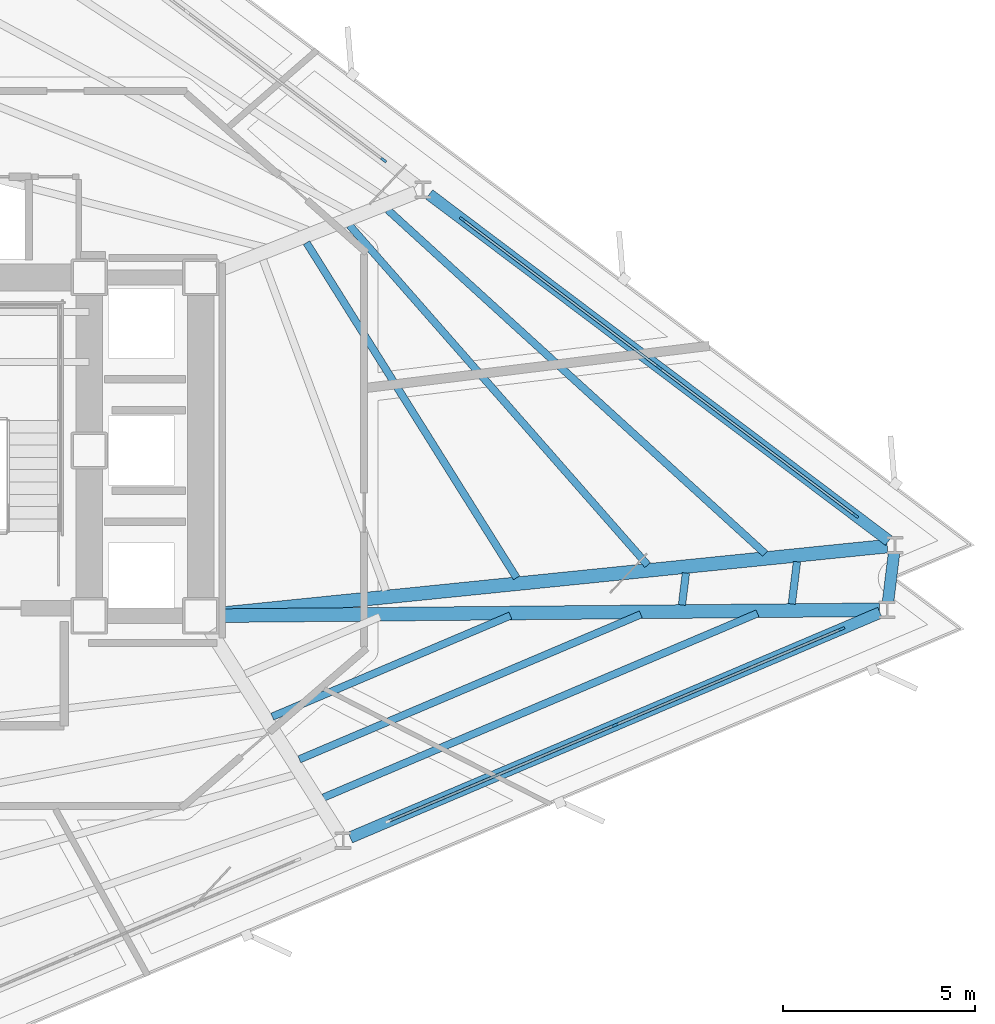
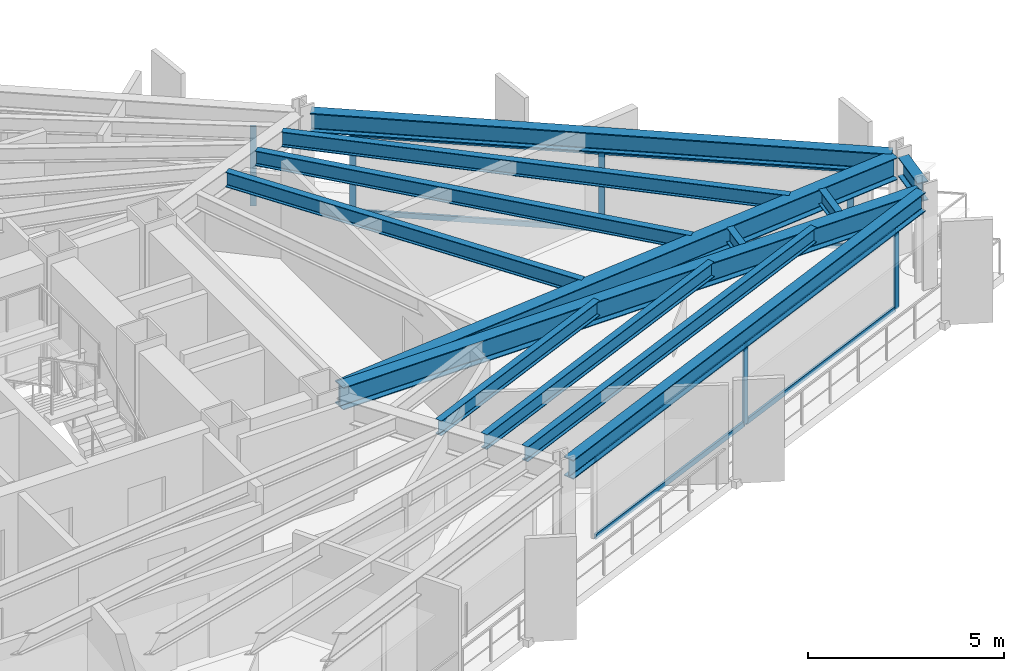
# One storey, part 4 of 13: 14 members, 13 beams, 3 elements without a shape of their own.
"""IFC4 building model written with IfcOpenShell, lengths in metres."""

from ifc_helpers import new_model, si_unit, direction, frame, origin, origin_2d, place, context, subcontext, project, spatial, rectangle, i_section, extrude, material, layer, layer_set, material_profile, profile_set, type_object, element, aggregate, save


model = new_model("IFC4")

# Units and contexts
model_context = context("Model", 3, precision=1e-05, world=origin(), true_north=direction((0.0, 1.0)))
body_context = subcontext(model_context, "Body", "Model", "MODEL_VIEW")
ifc_project = project(units=[si_unit("LENGTHUNIT", "METRE"), si_unit("AREAUNIT", "SQUARE_METRE"), si_unit("VOLUMEUNIT", "CUBIC_METRE"), si_unit("PLANEANGLEUNIT", "RADIAN"), si_unit("MASSUNIT", "GRAM", prefix="KILO")], contexts=[model_context])

# Site, building, storey
site_placement = place(None, origin())
site = spatial("IfcSite", under=ifc_project, at=site_placement, CompositionType="ELEMENT")
building_placement = place(site_placement, origin())
building = spatial("IfcBuilding", under=site, at=building_placement, Name="Rocaltana Carrier Exchange", CompositionType="ELEMENT")
storey_placement = place(building_placement, frame((0.0, 0.0, 66.39990234375)))
storey = spatial("IfcBuildingStorey", under=building, at=storey_placement, Name="L20", CompositionType="ELEMENT", Elevation=66.39990234375)

# Curtain wall, members
ifc_material_1 = material(Name="Aluminium 6063-T6", Category="aluminium")
ifc_layer = layer(ifc_material_1, 0.1650390625)
ifc_layer_set = layer_set([ifc_layer], Name="Aluminium 6063-T6")
curtain_wall_type = type_object("IfcCurtainWallType", Name="Lower-Mid Stepped Curtain Wall CW-02", PredefinedType="NOTDEFINED", material=ifc_layer_set)
curtain_wall_1_placement = place(storey_placement, origin())
curtain_wall_1 = element("IfcCurtainWall", 1, at=curtain_wall_1_placement, inside=storey, type_object=curtain_wall_type, Name="L20 CW-02 Run CW-L20-F1S1", PredefinedType="NOTDEFINED")
ifc_material_2 = material(Name="Aluminium 6063-T6", Category="aluminium")
ifc_material_profile_1 = material_profile(ifc_material_2, rectangle(XDim=0.06494140625, YDim=0.1650390625, at=origin_2d()), Name="AL-65X165")
ifc_profile_set_1 = profile_set([ifc_material_profile_1], Name="Aluminium 6063-T6")
member_type_1 = type_object("IfcMemberType", Name="CW-02 Mullion AL-65X165", PredefinedType="MULLION", material=ifc_profile_set_1)
member_1_placement = place(storey_placement, frame((25.978759765625, -1.69482421875, 0.0), z_axis=(0.0, 0.0, 1.0), x_axis=(-0.601806560833, -0.798641886792, 0.0)))
member_1 = element("IfcMember", 2, at=member_1_placement, type_object=member_type_1, Name="CW-02 mullion 1", PredefinedType="MULLION", context=body_context, shape_type="SweptSolid", body=[
    extrude(rectangle(XDim=0.06494140625, YDim=0.1650390625, at=origin_2d()), origin(), (0.0, 0.0, 1.0), 2.47802734375),
])
member_2_placement = place(storey_placement, frame((20.86669921875, 2.1572265625, 0.0), z_axis=(0.0, 0.0, 1.0), x_axis=(-0.601806560833, -0.798641886792, 0.0)))
member_2 = element("IfcMember", 3, at=member_2_placement, type_object=member_type_1, Name="CW-02 mullion 2", PredefinedType="MULLION", context=body_context, shape_type="SweptSolid", body=[
    extrude(rectangle(XDim=0.06494140625, YDim=0.1650390625, at=origin_2d()), origin(), (0.0, 0.0, 1.0), 2.47802734375),
])
member_3_placement = place(storey_placement, frame((15.754638671875, 6.00927734375, 0.0), z_axis=(0.0, 0.0, 1.0), x_axis=(-0.601806560833, -0.798641886792, 0.0)))
member_3 = element("IfcMember", 4, at=member_3_placement, type_object=member_type_1, Name="CW-02 mullion 3", PredefinedType="MULLION", context=body_context, shape_type="SweptSolid", body=[
    extrude(rectangle(XDim=0.06494140625, YDim=0.1650390625, at=origin_2d()), origin(), (0.0, 0.0, 1.0), 2.47802734375),
])

# Curtain wall, member
curtain_wall_2_placement = place(storey_placement, origin())
curtain_wall_2 = element("IfcCurtainWall", 5, at=curtain_wall_2_placement, inside=storey, type_object=curtain_wall_type, Name="L20 CW-02 Run CW-L20-F1S2", PredefinedType="NOTDEFINED")
member_4_placement = place(storey_placement, frame((13.706298828125, 7.552978515625, 0.0), z_axis=(0.0, 0.0, 1.0), x_axis=(-0.601815253533, -0.798635336443, 0.0)))
member_4 = element("IfcMember", 6, at=member_4_placement, type_object=member_type_1, Name="CW-02 mullion 1", PredefinedType="MULLION", context=body_context, shape_type="SweptSolid", body=[
    extrude(rectangle(XDim=0.06494140625, YDim=0.1650390625, at=origin_2d()), origin(), (0.0, 0.0, 1.0), 2.47802734375),
])
aggregate(curtain_wall_2, [member_4])

# Curtain wall, members
curtain_wall_3_placement = place(storey_placement, origin())
curtain_wall_3 = element("IfcCurtainWall", 7, at=curtain_wall_3_placement, inside=storey, type_object=curtain_wall_type, Name="L20 CW-02 Run CW-L20-F3S3", PredefinedType="NOTDEFINED")
member_5_placement = place(storey_placement, frame((19.72509765625, -7.141357421875, 0.0), z_axis=(0.0, 0.0, 1.0), x_axis=(-0.390735259141, 0.920503100084, 0.0)))
member_5 = element("IfcMember", 8, at=member_5_placement, type_object=member_type_1, Name="CW-02 mullion 2", PredefinedType="MULLION", context=body_context, shape_type="SweptSolid", body=[
    extrude(rectangle(XDim=0.06494140625, YDim=0.1650390625, at=origin_2d()), origin(), (0.0, 0.0, 1.0), 2.47802734375),
])
member_6_placement = place(storey_placement, frame((25.6171875, -4.64013671875, 0.0), z_axis=(0.0, 0.0, 1.0), x_axis=(-0.390735259141, 0.920503100084, 0.0)))
member_6 = element("IfcMember", 9, at=member_6_placement, type_object=member_type_1, Name="CW-02 mullion 3", PredefinedType="MULLION", context=body_context, shape_type="SweptSolid", body=[
    extrude(rectangle(XDim=0.06494140625, YDim=0.1650390625, at=origin_2d()), origin(), (0.0, 0.0, 1.0), 2.47802734375),
])

# Member
ifc_material_3 = material(Name="Aluminium 6063-T6", Category="aluminium")
ifc_material_profile_2 = material_profile(ifc_material_3, rectangle(XDim=0.06494140625, YDim=0.1650390625, at=origin_2d()), Name="AL-65X165")
ifc_profile_set_2 = profile_set([ifc_material_profile_2], Name="Aluminium 6063-T6")
member_type_2 = type_object("IfcMemberType", Name="CW-02 Transom AL-65X165", PredefinedType="USERDEFINED", material=ifc_profile_set_2)
member_7_placement = place(storey_placement, frame((25.95263671875, -1.67529296875, 0.03271484375), z_axis=(-0.798638496284, 0.601811060261, 0.0), x_axis=(-0.601811060261, -0.798638496284, 0.0)))
member_7 = element("IfcMember", 10, at=member_7_placement, type_object=member_type_2, Name="CW-02 transom 1.1", ObjectType="TRANSOM", PredefinedType="USERDEFINED", context=body_context, shape_type="SweptSolid", body=[
    extrude(rectangle(XDim=0.06494140625, YDim=0.1650390625, at=origin_2d()), origin(), (0.0, 0.0, 1.0), 6.3359375),
])

member_8_placement = place(storey_placement, frame((25.95263671875, -1.67529296875, 2.445556640625), z_axis=(-0.798638496284, 0.601811060261, 0.0), x_axis=(-0.601811060261, -0.798638496284, 0.0)))
member_8 = element("IfcMember", 11, at=member_8_placement, type_object=member_type_2, Name="CW-02 transom 1.2", ObjectType="TRANSOM", PredefinedType="USERDEFINED", context=body_context, shape_type="SweptSolid", body=[
    extrude(rectangle(XDim=0.06494140625, YDim=0.1650390625, at=origin_2d()), origin(), (0.0, 0.0, 1.0), 6.3359375),
])

member_9_placement = place(storey_placement, frame((20.8408203125, 2.1767578125, 0.03271484375), z_axis=(-0.798638496284, 0.601811060261, 0.0), x_axis=(-0.601811060261, -0.798638496284, 0.0)))
member_9 = element("IfcMember", 12, at=member_9_placement, type_object=member_type_2, Name="CW-02 transom 2.1", ObjectType="TRANSOM", PredefinedType="USERDEFINED", context=body_context, shape_type="SweptSolid", body=[
    extrude(rectangle(XDim=0.06494140625, YDim=0.1650390625, at=origin_2d()), origin(), (0.0, 0.0, 1.0), 6.3359375),
])

member_10_placement = place(storey_placement, frame((20.8408203125, 2.1767578125, 2.445556640625), z_axis=(-0.798638496284, 0.601811060261, 0.0), x_axis=(-0.601811060261, -0.798638496284, 0.0)))
member_10 = element("IfcMember", 13, at=member_10_placement, type_object=member_type_2, Name="CW-02 transom 2.2", ObjectType="TRANSOM", PredefinedType="USERDEFINED", context=body_context, shape_type="SweptSolid", body=[
    extrude(rectangle(XDim=0.06494140625, YDim=0.1650390625, at=origin_2d()), origin(), (0.0, 0.0, 1.0), 6.3359375),
])

aggregate(curtain_wall_1, [member_1, member_2, member_3, member_7, member_8, member_9, member_10])

member_11_placement = place(storey_placement, frame((13.863037109375, -9.629638671875, 0.03271484375), z_axis=(0.920502835622, 0.390735882167, 0.0), x_axis=(-0.390735882167, 0.920502835622, 0.0)))
member_11 = element("IfcMember", 14, at=member_11_placement, type_object=member_type_2, Name="CW-02 transom 1.1", ObjectType="TRANSOM", PredefinedType="USERDEFINED", context=body_context, shape_type="SweptSolid", body=[
    extrude(rectangle(XDim=0.06494140625, YDim=0.1650390625, at=origin_2d()), origin(), (0.0, 0.0, 1.0), 6.335693359375),
])

member_12_placement = place(storey_placement, frame((13.863037109375, -9.629638671875, 2.445556640625), z_axis=(0.920502835622, 0.390735882167, 0.0), x_axis=(-0.390735882167, 0.920502835622, 0.0)))
member_12 = element("IfcMember", 15, at=member_12_placement, type_object=member_type_2, Name="CW-02 transom 1.2", ObjectType="TRANSOM", PredefinedType="USERDEFINED", context=body_context, shape_type="SweptSolid", body=[
    extrude(rectangle(XDim=0.06494140625, YDim=0.1650390625, at=origin_2d()), origin(), (0.0, 0.0, 1.0), 6.335693359375),
])

member_13_placement = place(storey_placement, frame((19.7548828125, -7.128662109375, 0.03271484375), z_axis=(0.920494859312, 0.390754672372, 0.0), x_axis=(-0.390754672372, 0.920494859312, 0.0)))
member_13 = element("IfcMember", 16, at=member_13_placement, type_object=member_type_2, Name="CW-02 transom 2.1", ObjectType="TRANSOM", PredefinedType="USERDEFINED", context=body_context, shape_type="SweptSolid", body=[
    extrude(rectangle(XDim=0.06494140625, YDim=0.1650390625, at=origin_2d()), origin(), (0.0, 0.0, 1.0), 6.3359375),
])

member_14_placement = place(storey_placement, frame((19.7548828125, -7.128662109375, 2.445556640625), z_axis=(0.920494859312, 0.390754672372, 0.0), x_axis=(-0.390754672372, 0.920494859312, 0.0)))
member_14 = element("IfcMember", 17, at=member_14_placement, type_object=member_type_2, Name="CW-02 transom 2.2", ObjectType="TRANSOM", PredefinedType="USERDEFINED", context=body_context, shape_type="SweptSolid", body=[
    extrude(rectangle(XDim=0.06494140625, YDim=0.1650390625, at=origin_2d()), origin(), (0.0, 0.0, 1.0), 6.3359375),
])

aggregate(curtain_wall_3, [member_5, member_6, member_11, member_12, member_13, member_14])

# Beams
ifc_material_4 = material(Name="Steel S355", Category="steel")
ifc_material_profile_3 = material_profile(ifc_material_4, i_section(OverallWidth=0.193115234375, OverallDepth=0.466064453125, WebThickness=0.011474609375, FlangeThickness=0.01904296875, FilletRadius=0.013916015625, at=origin_2d()), Name="W18X65")
ifc_profile_set_3 = profile_set([ifc_material_profile_3], Name="Steel S355")
beam_type_1 = type_object("IfcBeamType", Name="Floor Joist W18X65", PredefinedType="JOIST", material=ifc_profile_set_3)
beam_1_placement = place(storey_placement, frame((17.1630859375, -3.311279296875, 2.864990234375), z_axis=(-0.531103653512, 0.847306856591, 0.0), x_axis=(-0.847306856591, -0.531103653512, 0.0)))
element("IfcBeam", 18, at=beam_1_placement, inside=storey, type_object=beam_type_1, Name="FJ-L20-01-2", PredefinedType="JOIST", context=body_context, shape_type="SweptSolid", body=[
    extrude(i_section(OverallWidth=0.193115234375, OverallDepth=0.466064453125, WebThickness=0.011474609375, FlangeThickness=0.01904296875, FilletRadius=0.013916015625, at=origin_2d()), origin(), (0.0, 0.0, 1.0), 10.285888671875),
])
beam_2_placement = place(storey_placement, frame((20.5712890625, -2.9794921875, 2.864990234375), z_axis=(-0.659558512546, 0.751653223587, 0.0), x_axis=(-0.751653223587, -0.659558512546, 0.0)))
element("IfcBeam", 19, at=beam_2_placement, inside=storey, type_object=beam_type_1, Name="FJ-L20-01-3", PredefinedType="JOIST", context=body_context, shape_type="SweptSolid", body=[
    extrude(i_section(OverallWidth=0.193115234375, OverallDepth=0.466064453125, WebThickness=0.011474609375, FlangeThickness=0.01904296875, FilletRadius=0.013916015625, at=origin_2d()), origin(), (0.0, 0.0, 1.0), 11.751708984375),
])
beam_3_placement = place(storey_placement, frame((23.626708984375, -2.68115234375, 2.864990234375), z_axis=(-0.739263706451, 0.673416046976, 0.0), x_axis=(-0.673416046976, -0.739263706451, 0.0)))
element("IfcBeam", 20, at=beam_3_placement, inside=storey, type_object=beam_type_1, Name="FJ-L20-01-4", PredefinedType="JOIST", context=body_context, shape_type="SweptSolid", body=[
    extrude(i_section(OverallWidth=0.193115234375, OverallDepth=0.466064453125, WebThickness=0.011474609375, FlangeThickness=0.01904296875, FilletRadius=0.013916015625, at=origin_2d()), origin(), (0.0, 0.0, 1.0), 13.269775390625),
])
beam_4_placement = place(storey_placement, frame((10.81103515625, -6.9208984375, 2.864990234375), z_axis=(0.920502665094, 0.390736283898, 0.0), x_axis=(-0.390736283898, 0.920502665094, 0.0)))
element("IfcBeam", 21, at=beam_4_placement, inside=storey, type_object=beam_type_1, Name="FJ-L20-11-2", PredefinedType="JOIST", context=body_context, shape_type="SweptSolid", body=[
    extrude(i_section(OverallWidth=0.193115234375, OverallDepth=0.466064453125, WebThickness=0.011474609375, FlangeThickness=0.01904296875, FilletRadius=0.013916015625, at=origin_2d()), origin(), (0.0, 0.0, 1.0), 6.7255859375),
])
beam_5_placement = place(storey_placement, frame((11.514404296875, -8.03125, 2.864990234375), z_axis=(0.920503721311, 0.390733795636, 0.0), x_axis=(-0.390733795636, 0.920503721311, 0.0)))
element("IfcBeam", 22, at=beam_5_placement, inside=storey, type_object=beam_type_1, Name="FJ-L20-11-3", PredefinedType="JOIST", context=body_context, shape_type="SweptSolid", body=[
    extrude(i_section(OverallWidth=0.193115234375, OverallDepth=0.466064453125, WebThickness=0.011474609375, FlangeThickness=0.01904296875, FilletRadius=0.013916015625, at=origin_2d()), origin(), (0.0, 0.0, 1.0), 9.6455078125),
])
beam_6_placement = place(storey_placement, frame((12.143798828125, -9.024658203125, 2.864990234375), z_axis=(0.920504513762, 0.390731928749, 0.0), x_axis=(-0.390731928749, 0.920504513762, 0.0)))
element("IfcBeam", 23, at=beam_6_placement, inside=storey, type_object=beam_type_1, Name="FJ-L20-11-4", PredefinedType="JOIST", context=body_context, shape_type="SweptSolid", body=[
    extrude(i_section(OverallWidth=0.193115234375, OverallDepth=0.466064453125, WebThickness=0.011474609375, FlangeThickness=0.01904296875, FilletRadius=0.013916015625, at=origin_2d()), origin(), (0.0, 0.0, 1.0), 12.2578125),
])
beam_7_placement = place(storey_placement, frame((21.464111328125, -4.01708984375, 2.864990234375), z_axis=(0.122022478493, 0.992527337025, 0.0), x_axis=(-0.992527337025, 0.122022478493, 0.0)))
element("IfcBeam", 24, at=beam_7_placement, inside=storey, type_object=beam_type_1, Name="FJ-L20-12-3", PredefinedType="JOIST", context=body_context, shape_type="SweptSolid", body=[
    extrude(i_section(OverallWidth=0.193115234375, OverallDepth=0.466064453125, WebThickness=0.011474609375, FlangeThickness=0.01904296875, FilletRadius=0.013916015625, at=origin_2d()), origin(), (0.0, 0.0, 1.0), 0.83642578125),
])
beam_8_placement = place(storey_placement, frame((24.31982421875, -3.991455078125, 2.864990234375), z_axis=(0.121834081675, 0.992550480602, 0.0), x_axis=(-0.992550480602, 0.121834081675, 0.0)))
element("IfcBeam", 25, at=beam_8_placement, inside=storey, type_object=beam_type_1, Name="FJ-L20-12-4", PredefinedType="JOIST", context=body_context, shape_type="SweptSolid", body=[
    extrude(i_section(OverallWidth=0.193115234375, OverallDepth=0.466064453125, WebThickness=0.011474609375, FlangeThickness=0.01904296875, FilletRadius=0.013916015625, at=origin_2d()), origin(), (0.0, 0.0, 1.0), 1.106201171875),
])
ifc_material_5 = material(Name="Steel S355", Category="steel")
ifc_material_profile_4 = material_profile(ifc_material_5, i_section(OverallWidth=0.35498046875, OverallDepth=0.695068359375, WebThickness=0.015380859375, FlangeThickness=0.02490234375, FilletRadius=0.01806640625, at=origin_2d()), Name="W27X146")
ifc_profile_set_4 = profile_set([ifc_material_profile_4], Name="Steel S355")
beam_type_2 = type_object("IfcBeamType", Name="Radial Girder W27X146", PredefinedType="BEAM", material=ifc_profile_set_4)
beam_9_placement = place(storey_placement, frame((9.41455078125, -4.252685546875, 2.75048828125), z_axis=(0.994884315386, 0.101020784983, 0.0), x_axis=(-0.101020784983, 0.994884315386, 0.0)))
element("IfcBeam", 26, at=beam_9_placement, inside=storey, type_object=beam_type_2, Name="RG-L20-01", PredefinedType="BEAM", context=body_context, shape_type="SweptSolid", body=[
    extrude(i_section(OverallWidth=0.35498046875, OverallDepth=0.695068359375, WebThickness=0.015380859375, FlangeThickness=0.02490234375, FilletRadius=0.01806640625, at=origin_2d()), origin(), (0.0, 0.0, 1.0), 17.477783203125),
])
beam_10_placement = place(storey_placement, frame((9.4169921875, -4.2958984375, 2.75048828125), z_axis=(0.999959286305, 0.009023620777, 0.0), x_axis=(-0.009023620777, 0.999959286305, 0.0)))
element("IfcBeam", 27, at=beam_10_placement, inside=storey, type_object=beam_type_2, Name="RG-L20-12", PredefinedType="BEAM", context=body_context, shape_type="SweptSolid", body=[
    extrude(i_section(OverallWidth=0.35498046875, OverallDepth=0.695068359375, WebThickness=0.015380859375, FlangeThickness=0.02490234375, FilletRadius=0.01806640625, at=origin_2d()), origin(), (0.0, 0.0, 1.0), 17.180419921875),
])
ifc_material_6 = material(Name="Steel S355", Category="steel")
ifc_material_profile_5 = material_profile(ifc_material_6, i_section(OverallWidth=0.300048828125, OverallDepth=0.60009765625, WebThickness=0.015380859375, FlangeThickness=0.030029296875, FilletRadius=0.027099609375, at=origin_2d()), Name="HEB600")
ifc_profile_set_5 = profile_set([ifc_material_profile_5], Name="Steel S355")
beam_type_3 = type_object("IfcBeamType", Name="Spandrel Edge Beam HEB600", PredefinedType="SPANDREL", material=ifc_profile_set_5)
beam_11_placement = place(storey_placement, frame((26.84228515625, -2.345703125, 2.798095703125), z_axis=(-0.798635336445, 0.60181525353, 0.0), x_axis=(-0.60181525353, -0.798635336445, 0.0)))
element("IfcBeam", 28, at=beam_11_placement, inside=storey, type_object=beam_type_3, Name="SP-L20-01", PredefinedType="SPANDREL", context=body_context, shape_type="SweptSolid", body=[
    extrude(i_section(OverallWidth=0.300048828125, OverallDepth=0.60009765625, WebThickness=0.015380859375, FlangeThickness=0.030029296875, FilletRadius=0.027099609375, at=origin_2d()), origin(), (0.0, 0.0, 1.0), 14.964599609375),
])
beam_12_placement = place(storey_placement, frame((12.83740234375, -10.06494140625, 2.798095703125), z_axis=(0.920499822103, 0.390742981394, 0.0), x_axis=(-0.390742981394, 0.920499822103, 0.0)))
element("IfcBeam", 29, at=beam_12_placement, inside=storey, type_object=beam_type_3, Name="SP-L20-11", PredefinedType="SPANDREL", context=body_context, shape_type="SweptSolid", body=[
    extrude(i_section(OverallWidth=0.300048828125, OverallDepth=0.60009765625, WebThickness=0.015380859375, FlangeThickness=0.030029296875, FilletRadius=0.027099609375, at=origin_2d()), origin(), (0.0, 0.0, 1.0), 14.96484375),
])
beam_13_placement = place(storey_placement, frame((26.822021484375, -3.939697265625, 2.798095703125), z_axis=(0.121973520022, 0.992533354812, 0.0), x_axis=(-0.992533354812, 0.121973520022, 0.0)))
element("IfcBeam", 30, at=beam_13_placement, inside=storey, type_object=beam_type_3, Name="SP-L20-12", PredefinedType="SPANDREL", context=body_context, shape_type="SweptSolid", body=[
    extrude(i_section(OverallWidth=0.300048828125, OverallDepth=0.60009765625, WebThickness=0.015380859375, FlangeThickness=0.030029296875, FilletRadius=0.027099609375, at=origin_2d()), origin(), (0.0, 0.0, 1.0), 1.282958984375),
])

save(model, "model.ifc")
